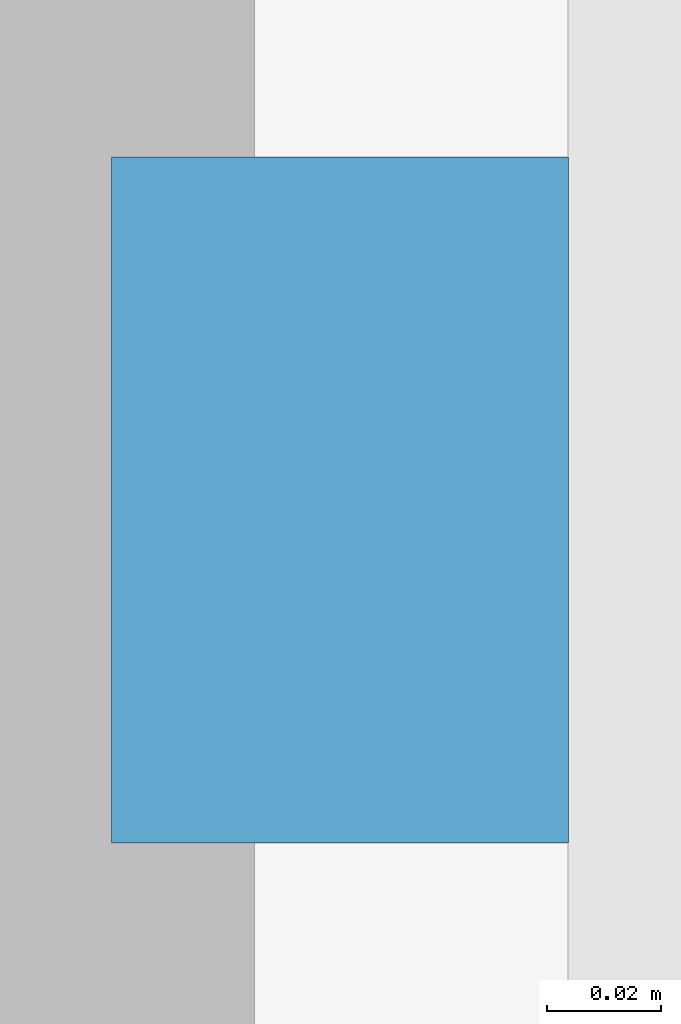
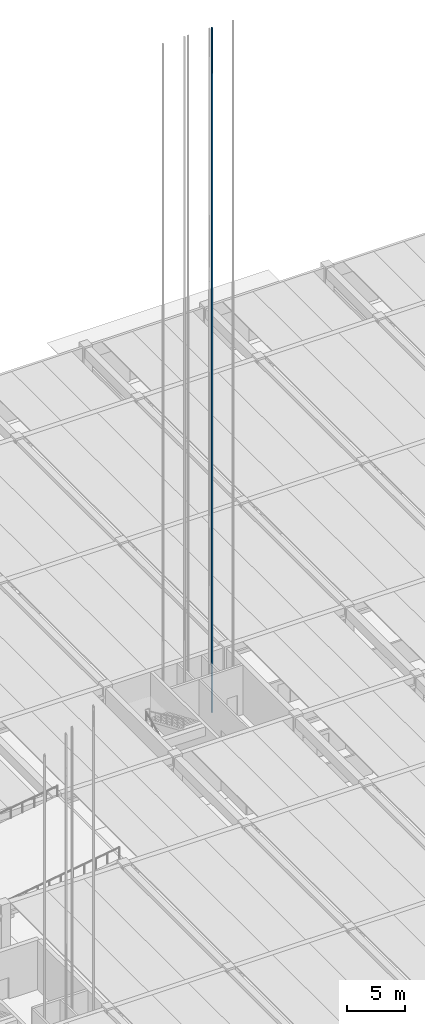
# One storey, part 48 of 59: 1 discrete accessory.
"""IFC4 building model written with IfcOpenShell, lengths in metres."""

from ifc_helpers import new_model, si_unit, direction, frame, origin, origin_2d, place, context, subcontext, project, spatial, rectangle, extrude, material, type_object, element, save


model = new_model("IFC4")

# Units and contexts
model_context = context("Model", 3, precision=1e-05, world=origin(), true_north=direction((0.0, 1.0)))
body_context = subcontext(model_context, "Body", "Model", "MODEL_VIEW")
ifc_project = project(units=[si_unit("LENGTHUNIT", "METRE"), si_unit("AREAUNIT", "SQUARE_METRE"), si_unit("VOLUMEUNIT", "CUBIC_METRE"), si_unit("PLANEANGLEUNIT", "RADIAN"), si_unit("MASSUNIT", "GRAM", prefix="KILO")], contexts=[model_context])

# Site, building, storey
site_placement = place(None, origin())
site = spatial("IfcSite", under=ifc_project, at=site_placement, CompositionType="ELEMENT")
building_placement = place(site_placement, origin())
building = spatial("IfcBuilding", under=site, at=building_placement, Name="Girod Span Mobility Hub", CompositionType="ELEMENT")
storey_placement = place(building_placement, origin())
storey = spatial("IfcBuildingStorey", under=building, at=storey_placement, Name="L00", CompositionType="ELEMENT", Elevation=0.0)

# Discrete accessory
ifc_material = material(Name="Steel A992 Grade 50", Category="steel")
discrete_accessory_type = type_object("IfcDiscreteAccessoryType", Name="ACC-LFT-RAIL", PredefinedType="USERDEFINED", material=ifc_material)
discrete_accessory_placement = place(storey_placement, frame((117.594970703125, 67.300048828125, 0.0), z_axis=(0.0, 0.0, 1.0), x_axis=(1.0, 0.0, 0.0)))
element("IfcDiscreteAccessory", 1, at=discrete_accessory_placement, inside=storey, type_object=discrete_accessory_type, Name="Hoistway Guide Rail LP-4-W", ObjectType="GUIDE RAIL", PredefinedType="USERDEFINED", context=body_context, shape_type="SweptSolid", body=[
    extrude(rectangle(XDim=0.080078125, YDim=0.1201171875, at=origin_2d()), origin(), (0.0, 0.0, 1.0), 71.949951171875),
])

save(model, "model.ifc")
